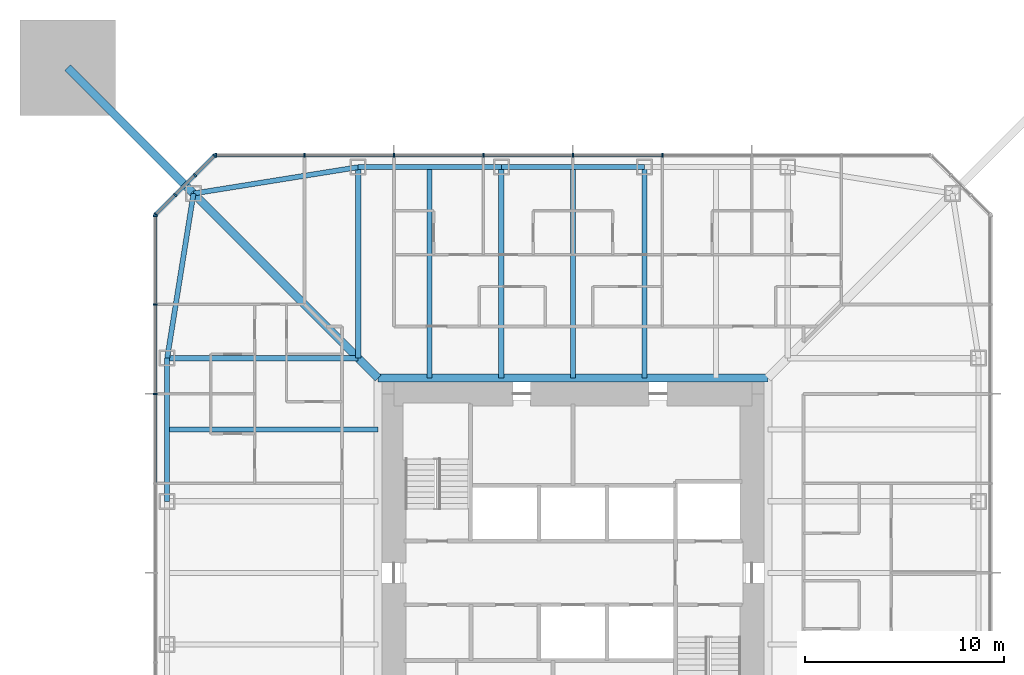
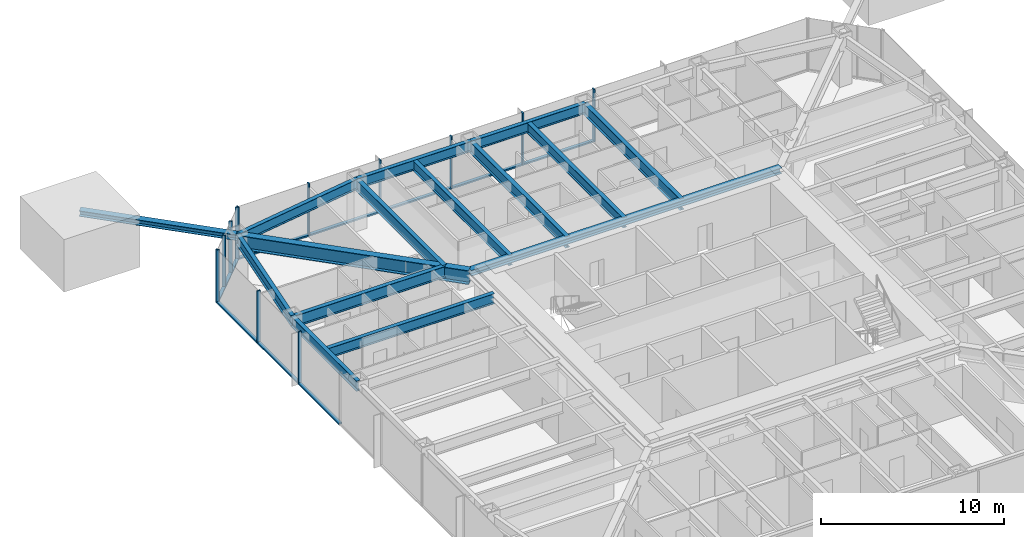
# One storey, part 6 of 25: 25 members, 14 beams, 3 elements without a shape of their own.
"""IFC4 building model written with IfcOpenShell, lengths in metres."""

import ifcopenshell
import ifcopenshell.guid

model = None  # the IFC model being written
_history = None  # IfcOwnerHistory: only IFC2X3 demands one
_inside = {}  # id of a spatial element -> (the spatial element, [elements in it])
_under = {}  # id of a project, library or spatial element -> (it, [spatial elements below it])
_declared = {}  # id of a project -> (the project, [libraries it declares])
_typed = {}  # id of a type object -> (the type object, [elements of that type])
_made_of = {}  # id of a material, layer set ... -> (it, [elements and type objects made of it])


def new_model(schema):
    """Start an empty IFC model of exactly this schema.

    Asked for "IFC4X3", IfcOpenShell would pick the latest addendum, in which some entities
    have other attributes; the version numbers below select the first issue.
    IFC2X3 requires an IfcOwnerHistory on every rooted entity: one is made here for all.
    """
    global model, _history
    if schema == "IFC4X3":
        model = ifcopenshell.file(schema_version=(4, 3, 0, 0))
    else:
        model = ifcopenshell.file(schema=schema)
    _inside.clear()
    _under.clear()
    _declared.clear()
    _typed.clear()
    _made_of.clear()
    _history = None
    if model.schema == "IFC2X3":
        org = make("IfcOrganization", Name="unknown")
        user = make(
            "IfcPersonAndOrganization",
            ThePerson=make("IfcPerson", FamilyName="unknown"),
            TheOrganization=org,
        )
        app = make(
            "IfcApplication",
            ApplicationDeveloper=org,
            Version="unknown",
            ApplicationFullName="unknown",
            ApplicationIdentifier="unknown",
        )
        _history = make(
            "IfcOwnerHistory",
            OwningUser=user,
            OwningApplication=app,
            ChangeAction="ADDED",
            CreationDate=0,
        )
    return model


def make(cls, **values):
    """One entity of the class cls with the attributes given. An attribute that is None is left unset."""
    return model.create_entity(
        cls, **{name: value for name, value in values.items() if value is not None}
    )


def rooted(cls, **values):
    """An entity with a GlobalId (a new one), such as an element, a storey or a relation."""
    return make(cls, GlobalId=ifcopenshell.guid.new(), OwnerHistory=_history, **values)


def si_unit(unit_type, name, prefix=None):
    """IfcSIUnit, for example si_unit("LENGTHUNIT", "METRE", prefix="MILLI")."""
    return make("IfcSIUnit", UnitType=unit_type, Prefix=prefix, Name=name)


def assignment(units):
    """IfcUnitAssignment: the units of a project."""
    return None if units is None else make("IfcUnitAssignment", Units=units)


def point(xyz):
    """IfcCartesianPoint."""
    return None if xyz is None else make("IfcCartesianPoint", Coordinates=xyz)


def direction(xyz):
    """IfcDirection."""
    return None if xyz is None else make("IfcDirection", DirectionRatios=xyz)


def frame(location, z_axis=None, x_axis=None):
    """IfcAxis2Placement3D, a coordinate frame: its origin and axes. An axis left out is left unset."""
    return make(
        "IfcAxis2Placement3D",
        Location=point(location),
        Axis=direction(z_axis),
        RefDirection=direction(x_axis),
    )


def frame_2d(location, x_axis=None):
    """IfcAxis2Placement2D, a coordinate frame in the plane: its origin and x axis."""
    return make(
        "IfcAxis2Placement2D", Location=point(location), RefDirection=direction(x_axis)
    )


def origin():
    """The frame at (0, 0, 0) with its axes left unset."""
    return frame((0.0, 0.0, 0.0))


def origin_2d():
    """The frame at (0, 0) in the plane with its x axis left unset."""
    return frame_2d((0.0, 0.0))


def place(relative_to, where):
    """IfcLocalPlacement: puts the frame where relative to a parent placement (None: the world)."""
    return make(
        "IfcLocalPlacement", PlacementRelTo=relative_to, RelativePlacement=where
    )


def context(
    kind, dimensions, precision=None, world=None, true_north=None, identifier=None
):
    """IfcGeometricRepresentationContext, for example the 3D "Model" context."""
    return make(
        "IfcGeometricRepresentationContext",
        ContextIdentifier=identifier,
        ContextType=kind,
        CoordinateSpaceDimension=dimensions,
        Precision=precision,
        WorldCoordinateSystem=world,
        TrueNorth=true_north,
    )


def subcontext(parent, identifier, kind, view, scale=None):
    """IfcGeometricRepresentationSubContext, for example "Body" below "Model"."""
    return make(
        "IfcGeometricRepresentationSubContext",
        ContextIdentifier=identifier,
        ContextType=kind,
        ParentContext=parent,
        TargetScale=scale,
        TargetView=view,
    )


def project(units=None, contexts=None):
    """IfcProject with its units and contexts."""
    return rooted(
        "IfcProject",
        Name="project",
        RepresentationContexts=contexts,
        UnitsInContext=assignment(units),
    )


def spatial(cls, under=None, at=None, **own):
    """A site, building, storey or space (cls), placed at a placement, below another one or the project."""
    s = rooted(cls, ObjectPlacement=at, **own)
    if under is not None:
        _under.setdefault(under.id(), (under, []))[1].append(s)
    return s


def profile(cls, at=None, kind="AREA", **sizes):
    """A parametric profile (cls). Its sizes go by their IFC names, for example OverallWidth=200.0."""
    return make(cls, ProfileType=kind, Position=at, **sizes)


def rectangle(**sizes):
    """IfcRectangleProfileDef."""
    return profile("IfcRectangleProfileDef", **sizes)


def i_section(**sizes):
    """IfcIShapeProfileDef."""
    return profile("IfcIShapeProfileDef", **sizes)


def extrude(swept, where, along, depth):
    """IfcExtrudedAreaSolid: the profile swept, set in the frame where, extruded along a direction by depth."""
    return make(
        "IfcExtrudedAreaSolid",
        SweptArea=swept,
        Position=where,
        ExtrudedDirection=direction(along),
        Depth=depth,
    )


def shape(context_of_items, identifier, shape_type, items):
    """IfcShapeRepresentation: the items that make up one representation, for example the "Body"."""
    return make(
        "IfcShapeRepresentation",
        ContextOfItems=context_of_items,
        RepresentationIdentifier=identifier,
        RepresentationType=shape_type,
        Items=items,
    )


def material(Name=None, Category=None):
    """IfcMaterial."""
    return make("IfcMaterial", Name=Name, Category=Category)


def material_profile(
    of_material, cross_section, Name=None, Category=None, Priority=None
):
    """IfcMaterialProfile: a cross section and its material."""
    return make(
        "IfcMaterialProfile",
        Name=Name,
        Material=of_material,
        Profile=cross_section,
        Priority=Priority,
        Category=Category,
    )


def profile_set(profiles, Name=None, composite=None):
    """IfcMaterialProfileSet."""
    return make(
        "IfcMaterialProfileSet",
        Name=Name,
        MaterialProfiles=profiles,
        CompositeProfile=composite,
    )


def made_of(thing, what):
    """Note that an element or type object is made of a material, layer set ...; save() writes the relation."""
    if what is not None:
        _made_of.setdefault(what.id(), (what, []))[1].append(thing)
    return thing


def type_object(cls, material=None, **own):
    """A type object (cls), such as IfcWallType, which elements share."""
    return made_of(rooted(cls, **own), material)


def element(
    cls,
    number,
    at=None,
    inside=None,
    cuts=None,
    type_object=None,
    material=None,
    context=None,
    identifier="Body",
    shape_type=None,
    held_by="IfcProductDefinitionShape",
    body=None,
    shapes=None,
    **own,
):
    """One element of the class cls, such as IfcWall. Its Tag is "e" and its number.

    at: its placement. inside: the storey or other place that contains it. cuts: it is an
    opening in that element (IfcRelVoidsElement). A single representation is given by context,
    identifier, shape_type and body (its items); several are given by shapes. held_by: the class
    of the entity that holds the representations. save() writes the other relations.
    """
    e = rooted(cls, Tag="e%d" % number, ObjectPlacement=at, **own)
    if body is not None:
        shapes = [shape(context, identifier, shape_type, body)]
    if shapes is not None:
        e.Representation = make(held_by, Representations=shapes)
    if inside is not None:
        _inside.setdefault(inside.id(), (inside, []))[1].append(e)
    if cuts is not None:
        rooted(
            "IfcRelVoidsElement", RelatingBuildingElement=cuts, RelatedOpeningElement=e
        )
    if type_object is not None:
        _typed.setdefault(type_object.id(), (type_object, []))[1].append(e)
    return made_of(e, material)


def aggregate(whole, parts):
    """IfcRelAggregates: a whole, such as a stair, and the parts it consists of."""
    return rooted("IfcRelAggregates", RelatingObject=whole, RelatedObjects=parts)


def save(model, path):
    """Write the relations noted so far, then the file.

    IfcRelAggregates (storeys below a building ...), IfcRelContainedInSpatialStructure (elements
    in a storey), IfcRelDefinesByType, IfcRelAssociatesMaterial and IfcRelDeclares: one each for
    every whole, place, type object, material and project.
    """
    for whole, parts in _under.values():
        aggregate(whole, parts)
    for where, things in _inside.values():
        rooted(
            "IfcRelContainedInSpatialStructure",
            RelatedElements=things,
            RelatingStructure=where,
        )
    for kind, things in _typed.values():
        rooted("IfcRelDefinesByType", RelatedObjects=things, RelatingType=kind)
    for what, things in _made_of.values():
        rooted("IfcRelAssociatesMaterial", RelatedObjects=things, RelatingMaterial=what)
    for by, libraries in _declared.values():
        rooted("IfcRelDeclares", RelatingContext=by, RelatedDefinitions=libraries)
    model.write(path)


model = new_model("IFC4")

# Units and contexts
model_context = context("Model", 3, precision=1e-05, world=origin(), true_north=direction((0.0, 1.0)))
body_context = subcontext(model_context, "Body", "Model", "MODEL_VIEW")
ifc_project = project(units=[si_unit("LENGTHUNIT", "METRE"), si_unit("AREAUNIT", "SQUARE_METRE"), si_unit("VOLUMEUNIT", "CUBIC_METRE"), si_unit("PLANEANGLEUNIT", "RADIAN"), si_unit("MASSUNIT", "GRAM", prefix="KILO")], contexts=[model_context])

# Site, building, storey
site_placement = place(None, origin())
site = spatial("IfcSite", under=ifc_project, at=site_placement, CompositionType="ELEMENT")
building_placement = place(site_placement, origin())
building = spatial("IfcBuilding", under=site, at=building_placement, Name="Iwan Alto Co-Living Towers", CompositionType="ELEMENT")
storey_placement = place(building_placement, frame((0.0, 0.0, 119.0)))
storey = spatial("IfcBuildingStorey", under=building, at=storey_placement, Name="L32", CompositionType="ELEMENT", Elevation=119.0)

# Curtain wall, members
ifc_material_1 = material(Name="Bronze aluminium unitised frame", Category="aluminium")
curtain_wall_type_1 = type_object("IfcCurtainWallType", Name="CURTAIN WALL CW-A", PredefinedType="NOTDEFINED", material=ifc_material_1)
curtain_wall_1_placement = place(storey_placement, origin())
curtain_wall_1 = element("IfcCurtainWall", 1, at=curtain_wall_1_placement, inside=storey, type_object=curtain_wall_type_1, Name="T1 curtain wall N L32", PredefinedType="NOTDEFINED")
ifc_material_2 = material(Name="Aluminium 6063-T6 bronze anodised", Category="aluminium")
ifc_material_profile_1 = material_profile(ifc_material_2, rectangle(XDim=0.199951171875, YDim=0.080078125, at=origin_2d()), Name="AL 80X200")
ifc_profile_set_1 = profile_set([ifc_material_profile_1], Name="Aluminium 6063-T6 bronze anodised")
member_type_1 = type_object("IfcMemberType", Name="CW-A MULLION 80X200", PredefinedType="MULLION", material=ifc_profile_set_1)
member_1_placement = place(storey_placement, frame((4.5, 21.0, 0.0), z_axis=(0.0, 0.0, 1.0), x_axis=(0.0, -1.0, 0.0)))
member_1 = element("IfcMember", 2, at=member_1_placement, type_object=member_type_1, Name="CW-A mullion 4", PredefinedType="MULLION", context=body_context, shape_type="SweptSolid", body=[
    extrude(rectangle(XDim=0.199951171875, YDim=0.080078125, at=origin_2d()), origin(), (0.0, 0.0, 1.0), 3.5),
])
member_2_placement = place(storey_placement, frame((0.0, 21.0, 0.0), z_axis=(0.0, 0.0, 1.0), x_axis=(0.0, -1.0, 0.0)))
member_2 = element("IfcMember", 3, at=member_2_placement, type_object=member_type_1, Name="CW-A mullion 5", PredefinedType="MULLION", context=body_context, shape_type="SweptSolid", body=[
    extrude(rectangle(XDim=0.199951171875, YDim=0.080078125, at=origin_2d()), origin(), (0.0, 0.0, 1.0), 3.5),
])
member_3_placement = place(storey_placement, frame((-4.5, 21.0, 0.0), z_axis=(0.0, 0.0, 1.0), x_axis=(0.0, -1.0, 0.0)))
member_3 = element("IfcMember", 4, at=member_3_placement, type_object=member_type_1, Name="CW-A mullion 6", PredefinedType="MULLION", context=body_context, shape_type="SweptSolid", body=[
    extrude(rectangle(XDim=0.199951171875, YDim=0.080078125, at=origin_2d()), origin(), (0.0, 0.0, 1.0), 3.5),
])
member_4_placement = place(storey_placement, frame((-9.0, 21.0, 0.0), z_axis=(0.0, 0.0, 1.0), x_axis=(0.0, -1.0, 0.0)))
member_4 = element("IfcMember", 5, at=member_4_placement, type_object=member_type_1, Name="CW-A mullion 7", PredefinedType="MULLION", context=body_context, shape_type="SweptSolid", body=[
    extrude(rectangle(XDim=0.199951171875, YDim=0.080078125, at=origin_2d()), origin(), (0.0, 0.0, 1.0), 3.5),
])
member_5_placement = place(storey_placement, frame((-13.5, 21.0, 0.0), z_axis=(0.0, 0.0, 1.0), x_axis=(0.0, -1.0, 0.0)))
member_5 = element("IfcMember", 6, at=member_5_placement, type_object=member_type_1, Name="CW-A mullion 8", PredefinedType="MULLION", context=body_context, shape_type="SweptSolid", body=[
    extrude(rectangle(XDim=0.199951171875, YDim=0.080078125, at=origin_2d()), origin(), (0.0, 0.0, 1.0), 3.5),
])
member_6_placement = place(storey_placement, frame((-17.9599609375, 21.0, 0.0), z_axis=(0.0, 0.0, 1.0), x_axis=(0.0, -1.0, 0.0)))
member_6 = element("IfcMember", 7, at=member_6_placement, type_object=member_type_1, Name="CW-A mullion 9", PredefinedType="MULLION", context=body_context, shape_type="SweptSolid", body=[
    extrude(rectangle(XDim=0.199951171875, YDim=0.080078125, at=origin_2d()), origin(), (0.0, 0.0, 1.0), 3.5),
])

curtain_wall_2_placement = place(storey_placement, origin())
curtain_wall_2 = element("IfcCurtainWall", 8, at=curtain_wall_2_placement, inside=storey, type_object=curtain_wall_type_1, Name="T1 curtain wall W L32", PredefinedType="NOTDEFINED")
member_7_placement = place(storey_placement, frame((-21.0, 17.9599609375, 0.0), z_axis=(0.0, 0.0, 1.0), x_axis=(1.0, 0.0, 0.0)))
member_7 = element("IfcMember", 9, at=member_7_placement, type_object=member_type_1, Name="CW-A mullion 1", PredefinedType="MULLION", context=body_context, shape_type="SweptSolid", body=[
    extrude(rectangle(XDim=0.199951171875, YDim=0.080078125, at=origin_2d()), origin(), (0.0, 0.0, 1.0), 3.5),
])
member_8_placement = place(storey_placement, frame((-21.0, 13.5, 0.0), z_axis=(0.0, 0.0, 1.0), x_axis=(1.0, 0.0, 0.0)))
member_8 = element("IfcMember", 10, at=member_8_placement, type_object=member_type_1, Name="CW-A mullion 2", PredefinedType="MULLION", context=body_context, shape_type="SweptSolid", body=[
    extrude(rectangle(XDim=0.199951171875, YDim=0.080078125, at=origin_2d()), origin(), (0.0, 0.0, 1.0), 3.5),
])
member_9_placement = place(storey_placement, frame((-21.0, 9.0, 0.0), z_axis=(0.0, 0.0, 1.0), x_axis=(1.0, 0.0, 0.0)))
member_9 = element("IfcMember", 11, at=member_9_placement, type_object=member_type_1, Name="CW-A mullion 3", PredefinedType="MULLION", context=body_context, shape_type="SweptSolid", body=[
    extrude(rectangle(XDim=0.199951171875, YDim=0.080078125, at=origin_2d()), origin(), (0.0, 0.0, 1.0), 3.5),
])

# Member
ifc_material_3 = material(Name="Aluminium 6063-T6 bronze anodised", Category="aluminium")
ifc_material_profile_2 = material_profile(ifc_material_3, rectangle(XDim=0.199951171875, YDim=0.10009765625, at=origin_2d()), Name="AL 200X100")
ifc_profile_set_2 = profile_set([ifc_material_profile_2], Name="Aluminium 6063-T6 bronze anodised")
member_type_2 = type_object("IfcMemberType", Name="CW-A TRANSOM 200X100", PredefinedType="USERDEFINED", material=ifc_profile_set_2)
member_10_placement = place(storey_placement, frame((4.4599609375, 21.0, 0.050048828125), z_axis=(-1.0, 0.0, 0.0), x_axis=(0.0, -1.0, 0.0)))
member_10 = element("IfcMember", 12, at=member_10_placement, type_object=member_type_2, Name="CW-A transom 4.1", ObjectType="TRANSOM", PredefinedType="USERDEFINED", context=body_context, shape_type="SweptSolid", body=[
    extrude(rectangle(XDim=0.199951171875, YDim=0.10009765625, at=origin_2d()), origin(), (0.0, 0.0, 1.0), 4.419921875),
])

member_11_placement = place(storey_placement, frame((-0.0400390625, 21.0, 0.050048828125), z_axis=(-1.0, 0.0, 0.0), x_axis=(0.0, -1.0, 0.0)))
member_11 = element("IfcMember", 13, at=member_11_placement, type_object=member_type_2, Name="CW-A transom 5.1", ObjectType="TRANSOM", PredefinedType="USERDEFINED", context=body_context, shape_type="SweptSolid", body=[
    extrude(rectangle(XDim=0.199951171875, YDim=0.10009765625, at=origin_2d()), origin(), (0.0, 0.0, 1.0), 4.419921875),
])

member_12_placement = place(storey_placement, frame((-4.5400390625, 21.0, 0.050048828125), z_axis=(-1.0, 0.0, 0.0), x_axis=(0.0, -1.0, 0.0)))
member_12 = element("IfcMember", 14, at=member_12_placement, type_object=member_type_2, Name="CW-A transom 6.1", ObjectType="TRANSOM", PredefinedType="USERDEFINED", context=body_context, shape_type="SweptSolid", body=[
    extrude(rectangle(XDim=0.199951171875, YDim=0.10009765625, at=origin_2d()), origin(), (0.0, 0.0, 1.0), 4.419921875),
])

member_13_placement = place(storey_placement, frame((-9.0400390625, 21.0, 0.050048828125), z_axis=(-1.0, 0.0, 0.0), x_axis=(0.0, -1.0, 0.0)))
member_13 = element("IfcMember", 15, at=member_13_placement, type_object=member_type_2, Name="CW-A transom 7.1", ObjectType="TRANSOM", PredefinedType="USERDEFINED", context=body_context, shape_type="SweptSolid", body=[
    extrude(rectangle(XDim=0.199951171875, YDim=0.10009765625, at=origin_2d()), origin(), (0.0, 0.0, 1.0), 4.419921875),
])

member_14_placement = place(storey_placement, frame((-13.5400390625, 21.0, 0.050048828125), z_axis=(-1.0, 0.0, 0.0), x_axis=(0.0, -1.0, 0.0)))
member_14 = element("IfcMember", 16, at=member_14_placement, type_object=member_type_2, Name="CW-A transom 8.1", ObjectType="TRANSOM", PredefinedType="USERDEFINED", context=body_context, shape_type="SweptSolid", body=[
    extrude(rectangle(XDim=0.199951171875, YDim=0.10009765625, at=origin_2d()), origin(), (0.0, 0.0, 1.0), 4.3798828125),
])

aggregate(curtain_wall_1, [member_1, member_2, member_3, member_4, member_5, member_6, member_10, member_11, member_12, member_13, member_14])

member_15_placement = place(storey_placement, frame((-21.0, 17.919921875, 0.050048828125), z_axis=(0.0, -1.0, 0.0), x_axis=(1.0, 0.0, 0.0)))
member_15 = element("IfcMember", 17, at=member_15_placement, type_object=member_type_2, Name="CW-A transom 1.1", ObjectType="TRANSOM", PredefinedType="USERDEFINED", context=body_context, shape_type="SweptSolid", body=[
    extrude(rectangle(XDim=0.199951171875, YDim=0.10009765625, at=origin_2d()), origin(), (0.0, 0.0, 1.0), 4.3798828125),
])

member_16_placement = place(storey_placement, frame((-21.0, 13.4599609375, 0.050048828125), z_axis=(0.0, -1.0, 0.0), x_axis=(1.0, 0.0, 0.0)))
member_16 = element("IfcMember", 18, at=member_16_placement, type_object=member_type_2, Name="CW-A transom 2.1", ObjectType="TRANSOM", PredefinedType="USERDEFINED", context=body_context, shape_type="SweptSolid", body=[
    extrude(rectangle(XDim=0.199951171875, YDim=0.10009765625, at=origin_2d()), origin(), (0.0, 0.0, 1.0), 4.419921875),
])

member_17_placement = place(storey_placement, frame((-21.0, 8.9599609375, 0.050048828125), z_axis=(0.0, -1.0, 0.0), x_axis=(1.0, 0.0, 0.0)))
member_17 = element("IfcMember", 19, at=member_17_placement, type_object=member_type_2, Name="CW-A transom 3.1", ObjectType="TRANSOM", PredefinedType="USERDEFINED", context=body_context, shape_type="SweptSolid", body=[
    extrude(rectangle(XDim=0.199951171875, YDim=0.10009765625, at=origin_2d()), origin(), (0.0, 0.0, 1.0), 4.419921875),
])

aggregate(curtain_wall_2, [member_7, member_8, member_9, member_15, member_16, member_17])

# Curtain wall, members
ifc_material_4 = material(Name="Bronze aluminium unitised frame", Category="aluminium")
curtain_wall_type_2 = type_object("IfcCurtainWallType", Name="CURTAIN WALL CW-B", PredefinedType="NOTDEFINED", material=ifc_material_4)
curtain_wall_3_placement = place(storey_placement, origin())
curtain_wall_3 = element("IfcCurtainWall", 20, at=curtain_wall_3_placement, inside=storey, type_object=curtain_wall_type_2, Name="T1 chamfer curtain wall NW L32", PredefinedType="NOTDEFINED")
ifc_material_5 = material(Name="Aluminium 6063-T6 bronze anodised", Category="aluminium")
ifc_material_profile_3 = material_profile(ifc_material_5, rectangle(XDim=0.199951171875, YDim=0.080078125, at=origin_2d()), Name="AL 80X200")
ifc_profile_set_3 = profile_set([ifc_material_profile_3], Name="Aluminium 6063-T6 bronze anodised")
member_type_3 = type_object("IfcMemberType", Name="CW-B MULLION 80X200", PredefinedType="MULLION", material=ifc_profile_set_3)
member_18_placement = place(storey_placement, frame((-18.0283203125, 20.9716796875, 0.0), z_axis=(0.0, 0.0, 1.0), x_axis=(0.707106781187, -0.707106781187, 0.0)))
member_18 = element("IfcMember", 21, at=member_18_placement, type_object=member_type_3, Name="CW-B mullion 1", PredefinedType="MULLION", context=body_context, shape_type="SweptSolid", body=[
    extrude(rectangle(XDim=0.199951171875, YDim=0.080078125, at=origin_2d()), origin(), (0.0, 0.0, 1.0), 3.5),
])
member_19_placement = place(storey_placement, frame((-19.0, 20.0, 0.0), z_axis=(0.0, 0.0, 1.0), x_axis=(0.707106781187, -0.707106781187, 0.0)))
member_19 = element("IfcMember", 22, at=member_19_placement, type_object=member_type_3, Name="CW-B mullion 2", PredefinedType="MULLION", context=body_context, shape_type="SweptSolid", body=[
    extrude(rectangle(XDim=0.199951171875, YDim=0.080078125, at=origin_2d()), origin(), (0.0, 0.0, 1.0), 3.5),
])
member_20_placement = place(storey_placement, frame((-20.0, 19.0, 0.0), z_axis=(0.0, 0.0, 1.0), x_axis=(0.707106781187, -0.707106781187, 0.0)))
member_20 = element("IfcMember", 23, at=member_20_placement, type_object=member_type_3, Name="CW-B mullion 3", PredefinedType="MULLION", context=body_context, shape_type="SweptSolid", body=[
    extrude(rectangle(XDim=0.199951171875, YDim=0.080078125, at=origin_2d()), origin(), (0.0, 0.0, 1.0), 3.5),
])
member_21_placement = place(storey_placement, frame((-20.9716796875, 18.0283203125, 0.0), z_axis=(0.0, 0.0, 1.0), x_axis=(0.707106781187, -0.707106781187, 0.0)))
member_21 = element("IfcMember", 24, at=member_21_placement, type_object=member_type_3, Name="CW-B mullion 4", PredefinedType="MULLION", context=body_context, shape_type="SweptSolid", body=[
    extrude(rectangle(XDim=0.199951171875, YDim=0.080078125, at=origin_2d()), origin(), (0.0, 0.0, 1.0), 3.5),
])
ifc_material_6 = material(Name="Aluminium 6063-T6 bronze anodised", Category="aluminium")
ifc_material_profile_4 = material_profile(ifc_material_6, rectangle(XDim=0.199951171875, YDim=0.10009765625, at=origin_2d()), Name="AL 200X100")
ifc_profile_set_4 = profile_set([ifc_material_profile_4], Name="Aluminium 6063-T6 bronze anodised")
member_type_4 = type_object("IfcMemberType", Name="CW-B TRANSOM 200X100", PredefinedType="USERDEFINED", material=ifc_profile_set_4)
member_22_placement = place(storey_placement, frame((-18.056640625, 20.943359375, 0.050048828125), z_axis=(-0.707106781187, -0.707106781187, 0.0), x_axis=(0.707106781187, -0.707106781187, 0.0)))
member_22 = element("IfcMember", 25, at=member_22_placement, type_object=member_type_4, Name="CW-B transom 1.1", ObjectType="TRANSOM", PredefinedType="USERDEFINED", context=body_context, shape_type="SweptSolid", body=[
    extrude(rectangle(XDim=0.199951171875, YDim=0.10009765625, at=origin_2d()), origin(), (0.0, 0.0, 1.0), 1.2939453125),
])
member_23_placement = place(storey_placement, frame((-19.0283203125, 19.9716796875, 0.050048828125), z_axis=(-0.707106781187, -0.707106781187, 0.0), x_axis=(0.707106781187, -0.707106781187, 0.0)))
member_23 = element("IfcMember", 26, at=member_23_placement, type_object=member_type_4, Name="CW-B transom 2.1", ObjectType="TRANSOM", PredefinedType="USERDEFINED", context=body_context, shape_type="SweptSolid", body=[
    extrude(rectangle(XDim=0.199951171875, YDim=0.10009765625, at=origin_2d()), origin(), (0.0, 0.0, 1.0), 1.334228515625),
])
member_24_placement = place(storey_placement, frame((-20.0283203125, 18.9716796875, 0.050048828125), z_axis=(-0.707106781187, -0.707106781187, 0.0), x_axis=(0.707106781187, -0.707106781187, 0.0)))
member_24 = element("IfcMember", 27, at=member_24_placement, type_object=member_type_4, Name="CW-B transom 3.1", ObjectType="TRANSOM", PredefinedType="USERDEFINED", context=body_context, shape_type="SweptSolid", body=[
    extrude(rectangle(XDim=0.199951171875, YDim=0.10009765625, at=origin_2d()), origin(), (0.0, 0.0, 1.0), 1.2939453125),
])
aggregate(curtain_wall_3, [member_18, member_19, member_20, member_21, member_22, member_23, member_24])

# Beams
ifc_material_7 = material(Name="Steel ASTM A992 Gr 50", Category="steel")
ifc_material_profile_5 = material_profile(ifc_material_7, i_section(OverallWidth=0.398681640625, OverallDepth=0.385986328125, WebThickness=0.02099609375, FlangeThickness=0.033203125, at=origin_2d()), Name="W14X176")
ifc_profile_set_5 = profile_set([ifc_material_profile_5], Name="Steel ASTM A992 Gr 50")
beam_type_1 = type_object("IfcBeamType", Name="T1 CORE LEDGER BEAM W14X176", PredefinedType="BEAM", material=ifc_profile_set_5)
beam_1_placement = place(storey_placement, frame((9.79931640625, 9.79931640625, 3.076904296875), z_axis=(-1.0, 0.0, 0.0), x_axis=(0.0, -1.0, 0.0)))
element("IfcBeam", 28, at=beam_1_placement, inside=storey, type_object=beam_type_1, Name="T1 core ledger beam N L33", PredefinedType="BEAM", context=body_context, shape_type="SweptSolid", body=[
    extrude(i_section(OverallWidth=0.398681640625, OverallDepth=0.385986328125, WebThickness=0.02099609375, FlangeThickness=0.033203125, at=origin_2d()), origin(), (0.0, 0.0, 1.0), 19.5986328125),
])
ifc_material_8 = material(Name="Steel ASTM A992 Gr 50", Category="steel")
ifc_material_profile_6 = material_profile(ifc_material_8, i_section(OverallWidth=0.419189453125, OverallDepth=0.927001953125, WebThickness=0.019287109375, FlangeThickness=0.031982421875, at=origin_2d()), Name="W36X231")
ifc_profile_set_6 = profile_set([ifc_material_profile_6], Name="Steel ASTM A992 Gr 50")
beam_type_2 = type_object("IfcBeamType", Name="T1 CORNER GIRDER W36X231", PredefinedType="BEAM", material=ifc_profile_set_6)
beam_2_placement = place(storey_placement, frame((-19.07568359375, 19.07568359375, 2.806396484375), z_axis=(0.707106781187, -0.707106781187, 0.0), x_axis=(0.707106781187, 0.707106781187, 0.0)))
element("IfcBeam", 29, at=beam_2_placement, inside=storey, type_object=beam_type_2, Name="T1 corner girder CNW L33", PredefinedType="BEAM", context=body_context, shape_type="SweptSolid", body=[
    extrude(i_section(OverallWidth=0.419189453125, OverallDepth=0.927001953125, WebThickness=0.019287109375, FlangeThickness=0.031982421875, at=origin_2d()), origin(), (0.0, 0.0, 1.0), 13.11865234375),
])
ifc_material_9 = material(Name="Steel ASTM A992 Gr 50", Category="steel")
ifc_material_profile_7 = material_profile(ifc_material_9, i_section(OverallWidth=0.25390625, OverallDepth=0.683349609375, WebThickness=0.012451171875, FlangeThickness=0.018798828125, at=origin_2d()), Name="W27X94")
ifc_profile_set_7 = profile_set([ifc_material_profile_7], Name="Steel ASTM A992 Gr 50")
beam_type_3 = type_object("IfcBeamType", Name="T1 EDGE BEAM W27X94", PredefinedType="BEAM", material=ifc_profile_set_7)
beam_3_placement = place(storey_placement, frame((3.60009765625, 20.39990234375, 2.928466796875), z_axis=(-1.0, 0.0, 0.0), x_axis=(0.0, -1.0, 0.0)))
element("IfcBeam", 30, at=beam_3_placement, inside=storey, type_object=beam_type_3, Name="T1 edge beam N2 L33", PredefinedType="BEAM", context=body_context, shape_type="SweptSolid", body=[
    extrude(i_section(OverallWidth=0.25390625, OverallDepth=0.683349609375, WebThickness=0.012451171875, FlangeThickness=0.018798828125, at=origin_2d()), origin(), (0.0, 0.0, 1.0), 7.2001953125),
])
beam_4_placement = place(storey_placement, frame((-3.60009765625, 20.39990234375, 2.928466796875), z_axis=(-1.0, 0.0, 0.0), x_axis=(0.0, -1.0, 0.0)))
element("IfcBeam", 31, at=beam_4_placement, inside=storey, type_object=beam_type_3, Name="T1 edge beam N3 L33", PredefinedType="BEAM", context=body_context, shape_type="SweptSolid", body=[
    extrude(i_section(OverallWidth=0.25390625, OverallDepth=0.683349609375, WebThickness=0.012451171875, FlangeThickness=0.018798828125, at=origin_2d()), origin(), (0.0, 0.0, 1.0), 7.199951171875),
])
for number, where, z_axis, x_axis, name in (
    (32, (-10.800048828125, 20.39990234375, 2.928466796875), (-0.987438450439, -0.158004134737, 0.0), (0.158004134737, -0.987438450439, 0.0), "T1 edge beam N4 L33"),
    (33, (-19.07568359375, 19.07568359375, 2.928466796875), (-0.158004134737, -0.987438450439, 0.0), (0.987438450439, -0.158004134737, 0.0), "T1 edge beam CNW L33"),
):
    element("IfcBeam", number, at=place(storey_placement, frame(where, z_axis=z_axis, x_axis=x_axis)), inside=storey, type_object=beam_type_3, Name=name, PredefinedType="BEAM", context=body_context, shape_type="SweptSolid", body=[
        extrude(i_section(OverallWidth=0.25390625, OverallDepth=0.683349609375, WebThickness=0.012451171875, FlangeThickness=0.018798828125, at=origin_2d()), origin(), (0.0, 0.0, 1.0), 8.380859375),
    ])
beam_5_placement = place(storey_placement, frame((-20.39990234375, 10.800048828125, 2.928466796875), z_axis=(0.0, -1.0, 0.0), x_axis=(1.0, 0.0, 0.0)))
element("IfcBeam", 34, at=beam_5_placement, inside=storey, type_object=beam_type_3, Name="T1 edge beam W1 L33", PredefinedType="BEAM", context=body_context, shape_type="SweptSolid", body=[
    extrude(i_section(OverallWidth=0.25390625, OverallDepth=0.683349609375, WebThickness=0.012451171875, FlangeThickness=0.018798828125, at=origin_2d()), origin(), (0.0, 0.0, 1.0), 7.199951171875),
])

# Member
ifc_material_10 = material(Name="Steel ASTM A992 Gr 50", Category="steel")
ifc_material_profile_8 = material_profile(ifc_material_10, i_section(OverallWidth=0.393798828125, OverallDepth=0.3759765625, WebThickness=0.017333984375, FlangeThickness=0.027587890625, at=origin_2d()), Name="W14X145")
ifc_profile_set_8 = profile_set([ifc_material_profile_8], Name="Steel ASTM A992 Gr 50")
member_type_5 = type_object("IfcMemberType", Name="T1 MEGA COLUMN FLOOR TIE W14X145", PredefinedType="STRUT", material=ifc_profile_set_8)
member_25_placement = place(storey_placement, frame((-25.39990234375, 25.39990234375, 3.08203125), z_axis=(0.707106781187, -0.707106781187, 0.0), x_axis=(0.707106781187, 0.707106781187, 0.0)))
element("IfcMember", 35, at=member_25_placement, inside=storey, type_object=member_type_5, Name="T1 mega column floor tie NW L33", PredefinedType="STRUT", context=body_context, shape_type="SweptSolid", body=[
    extrude(i_section(OverallWidth=0.393798828125, OverallDepth=0.3759765625, WebThickness=0.017333984375, FlangeThickness=0.027587890625, at=origin_2d()), origin(), (0.0, 0.0, 1.0), 8.94384765625),
])

# Beams
ifc_material_11 = material(Name="Steel ASTM A992 Gr 50", Category="steel")
ifc_material_profile_9 = material_profile(ifc_material_11, i_section(OverallWidth=0.2666015625, OverallDepth=0.761962890625, WebThickness=0.014404296875, FlangeThickness=0.021484375, at=origin_2d()), Name="W30X116")
ifc_profile_set_9 = profile_set([ifc_material_profile_9], Name="Steel ASTM A992 Gr 50")
beam_type_4 = type_object("IfcBeamType", Name="T1 RADIAL BEAM W30X116", PredefinedType="BEAM", material=ifc_profile_set_9)
for number, where, z_axis, x_axis, name in (
    (36, (3.60009765625, 20.39990234375, 2.888916015625), (0.0, -1.0, 0.0), (1.0, 0.0, 0.0), "T1 radial beam N2 L33"),
    (37, (-3.60009765625, 20.39990234375, 2.888916015625), (0.0, -1.0, 0.0), (1.0, 0.0, 0.0), "T1 radial beam N3 L33"),
):
    element("IfcBeam", number, at=place(storey_placement, frame(where, z_axis=z_axis, x_axis=x_axis)), inside=storey, type_object=beam_type_4, Name=name, PredefinedType="BEAM", context=body_context, shape_type="SweptSolid", body=[
        extrude(i_section(OverallWidth=0.2666015625, OverallDepth=0.761962890625, WebThickness=0.014404296875, FlangeThickness=0.021484375, at=origin_2d()), origin(), (0.0, 0.0, 1.0), 10.6005859375),
    ])
for number, where, z_axis, x_axis, name in (
    (38, (-10.800048828125, 20.39990234375, 2.888916015625), (0.0, -1.0, 0.0), (1.0, 0.0, 0.0), "T1 radial beam N4 L33"),
    (39, (-20.39990234375, 10.800048828125, 2.888916015625), (1.0, 0.0, 0.0), (0.0, 1.0, 0.0), "T1 radial beam W1 L33"),
):
    element("IfcBeam", number, at=place(storey_placement, frame(where, z_axis=z_axis, x_axis=x_axis)), inside=storey, type_object=beam_type_4, Name=name, PredefinedType="BEAM", context=body_context, shape_type="SweptSolid", body=[
        extrude(i_section(OverallWidth=0.2666015625, OverallDepth=0.761962890625, WebThickness=0.014404296875, FlangeThickness=0.021484375, at=origin_2d()), origin(), (0.0, 0.0, 1.0), 9.599853515625),
    ])
ifc_material_12 = material(Name="Steel ASTM A992 Gr 50", Category="steel")
ifc_material_profile_10 = material_profile(ifc_material_12, i_section(OverallWidth=0.25390625, OverallDepth=0.683349609375, WebThickness=0.012451171875, FlangeThickness=0.018798828125, at=origin_2d()), Name="W27X94")
ifc_profile_set_10 = profile_set([ifc_material_profile_10], Name="Steel ASTM A992 Gr 50")
beam_type_5 = type_object("IfcBeamType", Name="T1 SECONDARY BEAM W27X94", PredefinedType="JOIST", material=ifc_profile_set_10)
for number, where, z_axis, x_axis, name in (
    (40, (0.0, 20.39990234375, 2.928466796875), (0.0, -1.0, 0.0), (1.0, 0.0, 0.0), "T1 secondary beam N2 L33"),
    (41, (-7.199951171875, 20.39990234375, 2.928466796875), (0.0, -1.0, 0.0), (1.0, 0.0, 0.0), "T1 secondary beam N3 L33"),
    (42, (-20.39990234375, 7.199951171875, 2.928466796875), (1.0, 0.0, 0.0), (0.0, 1.0, 0.0), "T1 secondary beam W1 L33"),
):
    element("IfcBeam", number, at=place(storey_placement, frame(where, z_axis=z_axis, x_axis=x_axis)), inside=storey, type_object=beam_type_5, Name=name, PredefinedType="JOIST", context=body_context, shape_type="SweptSolid", body=[
        extrude(i_section(OverallWidth=0.25390625, OverallDepth=0.683349609375, WebThickness=0.012451171875, FlangeThickness=0.018798828125, at=origin_2d()), origin(), (0.0, 0.0, 1.0), 10.6005859375),
    ])

save(model, "model.ifc")
